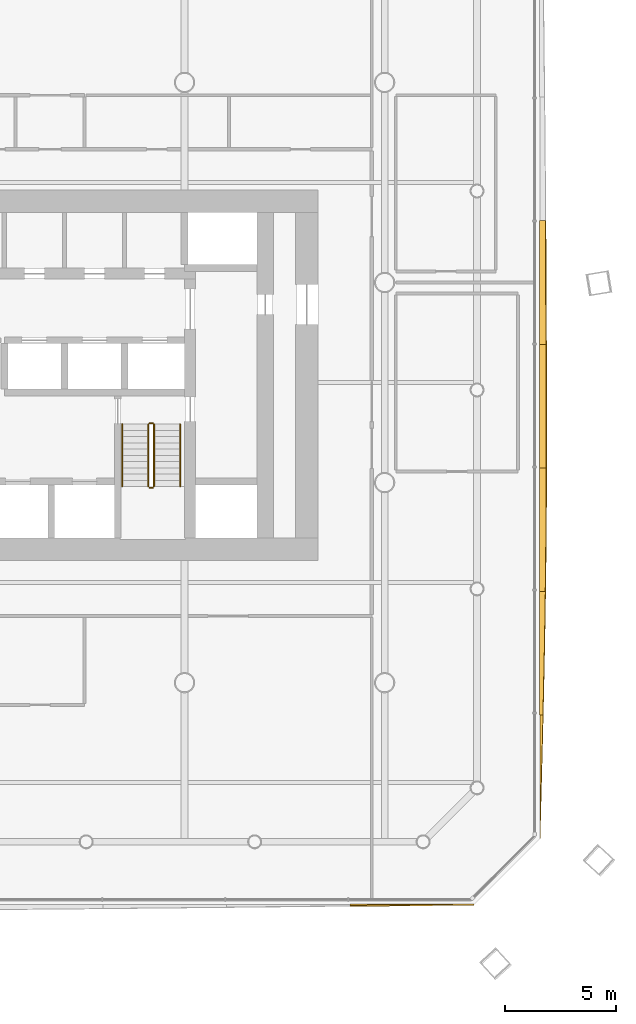
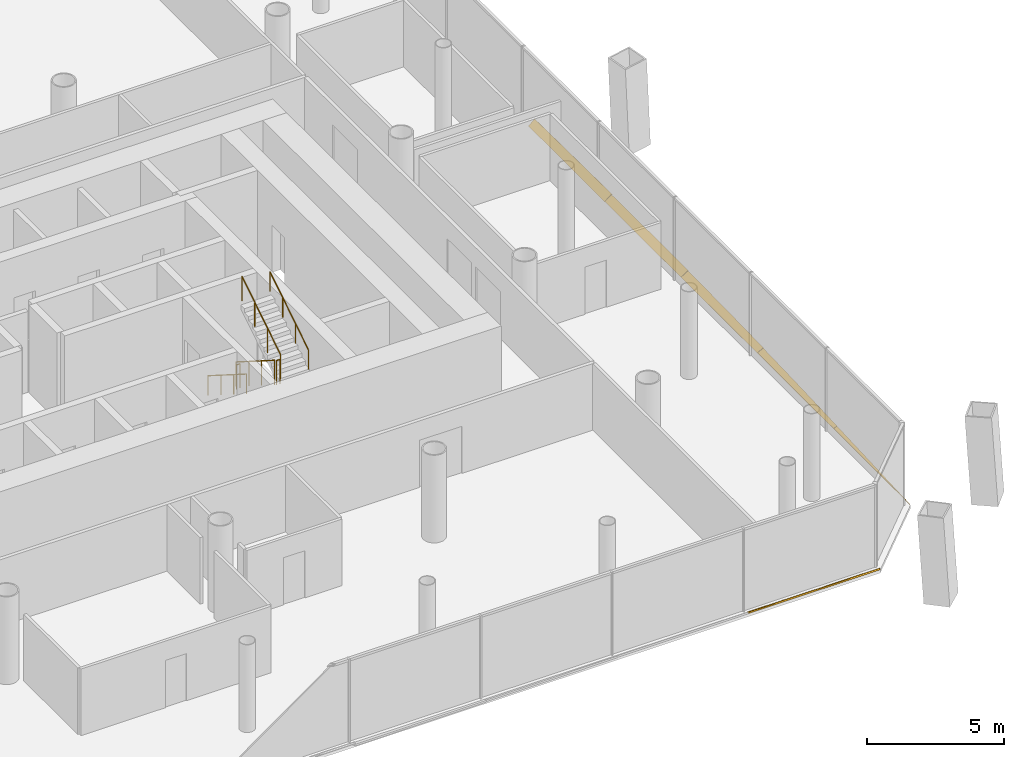
# One storey, part 21 of 23: 6 railings, 6 shading devices.
"""IFC4 building model written with IfcOpenShell, lengths in metres."""

from ifc_helpers import new_model, si_unit, direction, frame, origin, origin_2d, place, context, subcontext, project, spatial, polyline, circle, outline, extrude, material, layer, layer_set, type_object, element, save


model = new_model("IFC4")

# Units and contexts
model_context = context("Model", 3, precision=1e-05, world=origin(), true_north=direction((0.0, 1.0)))
body_context = subcontext(model_context, "Body", "Model", "MODEL_VIEW")
ifc_project = project(units=[si_unit("LENGTHUNIT", "METRE"), si_unit("AREAUNIT", "SQUARE_METRE"), si_unit("VOLUMEUNIT", "CUBIC_METRE"), si_unit("PLANEANGLEUNIT", "RADIAN"), si_unit("MASSUNIT", "GRAM", prefix="KILO")], contexts=[model_context])

# Site, building, storey
site_placement = place(None, origin())
site = spatial("IfcSite", under=ifc_project, at=site_placement, CompositionType="ELEMENT")
building_placement = place(site_placement, origin())
building = spatial("IfcBuilding", under=site, at=building_placement, Name="Tskaro Facet Tower", CompositionType="ELEMENT")
storey_placement = place(building_placement, frame((0.0, 0.0, 14.699951171875)))
storey = spatial("IfcBuildingStorey", under=building, at=storey_placement, Name="L02", CompositionType="ELEMENT", Elevation=14.699951171875)

# Shading devices
ifc_material_1 = material(Name="Bronze anodised aluminium 6063-T6", Category="aluminium")
ifc_layer = layer(ifc_material_1, 0.06005859375, Name="Bronze anodised aluminium 6063-T6")
ifc_layer_set = layer_set([ifc_layer], Name="Bronze anodised aluminium 6063-T6")
shading_device_type = type_object("IfcShadingDeviceType", Name="Bronze sun blade (FN1)", PredefinedType="USERDEFINED", material=ifc_layer_set)
shading_device_1_placement = place(storey_placement, frame((16.4443359375, -27.965576171875, 0.04931640625), z_axis=(2.5118302e-05, 0.571604642828, 0.820529177828), x_axis=(0.999999999685, -1.4357738e-05, -2.06103e-05)))
element("IfcShadingDevice", 1, at=shading_device_1_placement, inside=storey, type_object=shading_device_type, Name="Fin blade south 9", ObjectType="FIN", PredefinedType="USERDEFINED", context=body_context, shape_type="SweptSolid", body=[
    extrude(outline(polyline([(0.0, 0.0), (5.555664060747385, 0.0), (4.861328126915202, -0.010020727256868365), (4.16674804895279, -0.01984113000736796), (3.47241210658349, -0.029801084672664523), (2.7778320321263847, -0.03982181192953289), (2.083496094788895, -0.04964221468003248), (1.3889160117946715, -0.05960216934532905), (0.6945800744571822, -0.06942257209582864), (-3.50523014347157e-09, -0.07924297484632824), (0.0, 0.0)])), origin(), (0.0, 0.0, -1.0), 0.06005859375),
])
shading_device_2_placement = place(storey_placement, frame((24.9794921875, -25.0, 0.056396484375), z_axis=(-0.342654728417, 1.9273538e-05, 0.939461407787), x_axis=(6.604169e-06, 0.999999999814, -1.8106745e-05)))
element("IfcShadingDevice", 2, at=shading_device_2_placement, inside=storey, type_object=shading_device_type, Name="Fin blade east 1", ObjectType="FIN", PredefinedType="USERDEFINED", context=body_context, shape_type="SweptSolid", body=[
    extrude(outline(polyline([(0.0, 0.0), (5.555664061468121, 0.0), (5.555664063520824, -0.15276645990636875), (4.861083984787763, -0.13484917344118544), (4.1667480450673136, -0.11670252628069894), (3.4721679703383996, -0.09792984585046498), (2.7778320285891573, -0.07878209996919522), (2.083251953443798, -0.059237681513481154), (1.3889160145028012, -0.03977691899733765), (0.6943359361327504, -0.01977377915101724), (0.0, 0.0)])), origin(), (0.0, 0.0, -1.0), 0.06005859375),
])
shading_device_3_placement = place(storey_placement, frame((24.974609375, -19.4443359375, 0.054443359375), z_axis=(-0.422604179441, 2.697416e-06, 0.906314353584), x_axis=(1.139939e-06, 0.999999999996, -2.444707e-06)))
element("IfcShadingDevice", 3, at=shading_device_3_placement, inside=storey, type_object=shading_device_type, Name="Fin blade east 2", ObjectType="FIN", PredefinedType="USERDEFINED", context=body_context, shape_type="SweptSolid", body=[
    extrude(outline(polyline([(0.0, 0.0), (5.5554199218547895, -1.176405927415259e-21), (5.555419921980118, -0.2779758357455017), (4.861083984452553, -0.26639780820812653), (4.166503906102166, -0.253507090210102), (3.4721679687355658, -0.23974621805689042), (2.777587890505903, -0.2252183665969886), (2.0832519529817213, -0.20959909282916864), (1.3886718751913292, -0.1931096649061617), (0.6943359374693246, -0.17617770067769237), (1.0610845166486981e-10, -0.15837558229403606), (0.0, 0.0)])), origin(), (0.0, 0.0, -1.0), 0.06005859375),
])
shading_device_4_placement = place(storey_placement, frame((24.969970703125, -13.888916015625, 0.052001953125), z_axis=(-0.499973172296, 8.008232e-06, 0.866040892176), x_axis=(4.003901e-06, 0.999999999968, -6.935457e-06)))
element("IfcShadingDevice", 4, at=shading_device_4_placement, inside=storey, type_object=shading_device_type, Name="Fin blade east 3", ObjectType="FIN", PredefinedType="USERDEFINED", context=body_context, shape_type="SweptSolid", body=[
    extrude(outline(polyline([(0.0, 0.0), (5.555664062321854, 0.0), (5.555664062666398, -0.3453078920345746), (4.8610839835164565, -0.3431281508659041), (4.166748047854355, -0.33961441158735545), (3.4721679690886256, -0.3345879301950753), (2.777832030424282, -0.32847157821845996), (2.083251953020277, -0.32080979236726836), (1.3889160157176583, -0.3120581359317415), (0.6945800778914333, -0.30221660891187935), (-3.676786012494932e-10, -0.2909517117802124), (0.0, 0.0)])), origin(), (0.0, 0.0, -1.0), 0.06005859375),
])
shading_device_5_placement = place(storey_placement, frame((24.965576171875, -8.333251953125, 0.04931640625), z_axis=(-0.573390767077, 7.454726e-06, 0.819282019927), x_axis=(4.274471e-06, 0.999999999972, -6.107523e-06)))
element("IfcShadingDevice", 5, at=shading_device_5_placement, inside=storey, type_object=shading_device_type, Name="Fin blade east 4", ObjectType="FIN", PredefinedType="USERDEFINED", context=body_context, shape_type="SweptSolid", body=[
    extrude(outline(polyline([(0.0, 0.0), (5.555419921720635, 0.0), (5.55541992133919, -0.35673389665611877), (4.861083984304065, -0.3593740047572182), (4.166503906047897, -0.36147408482926685), (3.472167968864244, -0.3632341568966665), (2.7775878904595492, -0.36445420093501535), (2.083251954170941, -0.3655342569931168), (1.3889160147516173, -0.3660142529780133), (0.8332519533106295, -0.366214273002415), (0.6943359376894895, -0.366214273002415), (-9.833166652233712e-10, -0.36513421694431347), (0.0, 0.0)])), origin(), (0.0, 0.0, -1.0), 0.06005859375),
])
shading_device_6_placement = place(storey_placement, frame((24.96142578125, -2.77783203125, 0.0458984375), z_axis=(-0.64297938628, -3.58472e-06, 0.765883482526), x_axis=(-2.304901e-06, 0.999999999994, 2.745478e-06)))
element("IfcShadingDevice", 6, at=shading_device_6_placement, inside=storey, type_object=shading_device_type, Name="Fin blade east 5", ObjectType="FIN", PredefinedType="USERDEFINED", context=body_context, shape_type="SweptSolid", body=[
    extrude(outline(polyline([(0.0, 0.0), (5.555664062464304, -1.1764576262035436e-21), (5.555664062673105, -0.3443204259016345), (4.861083984585411, -0.3503847462992501), (4.166748047015152, -0.35610510603553386), (3.472167968712333, -0.36148150511048593), (2.7778320314896687, -0.3663269602520038), (2.0834960934891598, -0.37067147734296046), (1.388916015426372, -0.3748290111618148), (0.6945800777734573, -0.37829862365800554), (5.826445266564777e-11, -0.38158125288209394), (0.0, 0.0)])), origin(), (0.0, 0.0, -1.0), 0.06005859375),
])

# Railings
ifc_material_2 = material(Name="Stainless steel", Category="steel")
railing_type_1 = type_object("IfcRailingType", Name="RL-GUARD-1100", PredefinedType="GUARDRAIL", material=ifc_material_2)
railing_1_placement = place(storey_placement, frame((7.375, -6.375, 0.17724609375)))
element("IfcRailing", 7, at=railing_1_placement, inside=storey, type_object=railing_type_1, Name="L02 ST-2 stair guard 1", PredefinedType="GUARDRAIL", context=body_context, shape_type="SweptSolid", body=[
    extrude(circle(Radius=0.02392578125, at=origin_2d()), frame((0.0, 0.0, 1.076171875), z_axis=(0.0, -0.844908973607, 0.534910110503), x_axis=(1.0, 0.0, 0.0)), (0.0, 0.0, 1.0), 3.31396484375),
    extrude(circle(Radius=0.02099609375, at=origin_2d()), origin(), (0.0, 0.0, 1.0), 1.052001953125),
    extrude(circle(Radius=0.02099609375, at=origin_2d()), frame((0.0, -0.933349609375, 0.5908203125)), (0.0, 0.0, 1.0), 1.052001953125),
    extrude(circle(Radius=0.02099609375, at=origin_2d()), frame((0.0, -1.86669921875, 1.181884765625)), (0.0, 0.0, 1.0), 1.052001953125),
    extrude(circle(Radius=0.02099609375, at=origin_2d()), frame((0.0, -2.800048828125, 1.772705078125)), (0.0, 0.0, 1.0), 1.052001953125),
])
railing_2_placement = place(storey_placement, frame((7.425048828125, -9.22509765625, 1.949951171875)))
element("IfcRailing", 8, at=railing_2_placement, inside=storey, type_object=railing_type_1, Name="L02 ST-2 stair guard 2", PredefinedType="GUARDRAIL", context=body_context, shape_type="SweptSolid", body=[
    extrude(circle(Radius=0.02392578125, at=origin_2d()), frame((0.0, 0.0, 1.076171875), z_axis=(1.0, 0.0, 0.0), x_axis=(0.0, 1.0, 0.0)), (0.0, 0.0, 1.0), 0.14990234375),
    extrude(circle(Radius=0.02099609375, at=origin_2d()), origin(), (0.0, 0.0, 1.0), 1.052001953125),
    extrude(circle(Radius=0.02099609375, at=origin_2d()), frame((0.14990234375, 0.0, 0.0)), (0.0, 0.0, 1.0), 1.052001953125),
])
railing_3_placement = place(storey_placement, frame((7.625, -9.175048828125, 2.12744140625)))
element("IfcRailing", 9, at=railing_3_placement, inside=storey, type_object=railing_type_1, Name="L02 ST-2 stair guard 3", PredefinedType="GUARDRAIL", context=body_context, shape_type="SweptSolid", body=[
    extrude(circle(Radius=0.02392578125, at=origin_2d()), frame((0.0, 0.0, 1.076171875), z_axis=(0.0, 0.844908973607, 0.534910110503), x_axis=(-1.0, 0.0, 0.0)), (0.0, 0.0, 1.0), 3.31396484375),
    extrude(circle(Radius=0.02099609375, at=origin_2d()), origin(), (0.0, 0.0, 1.0), 1.052001953125),
    extrude(circle(Radius=0.02099609375, at=origin_2d()), frame((0.0, 0.933349609375, 0.5908203125)), (0.0, 0.0, 1.0), 1.052001953125),
    extrude(circle(Radius=0.02099609375, at=origin_2d()), frame((0.0, 1.86669921875, 1.181884765625)), (0.0, 0.0, 1.0), 1.052001953125),
    extrude(circle(Radius=0.02099609375, at=origin_2d()), frame((0.0, 2.800048828125, 1.772705078125)), (0.0, 0.0, 1.0), 1.052001953125),
])
railing_4_placement = place(storey_placement, frame((7.425048828125, -6.324951171875, 0.0)))
element("IfcRailing", 10, at=railing_4_placement, inside=storey, type_object=railing_type_1, Name="L02 ST-2 stair guard 4", PredefinedType="GUARDRAIL", context=body_context, shape_type="SweptSolid", body=[
    extrude(circle(Radius=0.02392578125, at=origin_2d()), frame((0.0, 0.0, 1.076171875), z_axis=(1.0, 0.0, 0.0), x_axis=(0.0, 1.0, 0.0)), (0.0, 0.0, 1.0), 0.14990234375),
    extrude(circle(Radius=0.02099609375, at=origin_2d()), origin(), (0.0, 0.0, 1.0), 1.052001953125),
    extrude(circle(Radius=0.02099609375, at=origin_2d()), frame((0.14990234375, 0.0, 0.0)), (0.0, 0.0, 1.0), 1.052001953125),
])
railing_type_2 = type_object("IfcRailingType", Name="RL-HANDRAIL-900", PredefinedType="HANDRAIL", material=ifc_material_2)
railing_5_placement = place(storey_placement, frame((6.199951171875, -6.375, 0.17724609375)))
element("IfcRailing", 11, at=railing_5_placement, inside=storey, type_object=railing_type_2, Name="L02 ST-2 stair handrail 1", PredefinedType="HANDRAIL", context=body_context, shape_type="SweptSolid", body=[
    extrude(circle(Radius=0.02392578125, at=origin_2d()), frame((0.0, 0.0, 0.8759765625), z_axis=(0.0, -0.844908973607, 0.534910110503), x_axis=(1.0, 0.0, 0.0)), (0.0, 0.0, 1.0), 3.31396484375),
    extrude(circle(Radius=0.02099609375, at=origin_2d()), origin(), (0.0, 0.0, 1.0), 0.851806640625),
    extrude(circle(Radius=0.02099609375, at=origin_2d()), frame((0.0, -0.933349609375, 0.5908203125)), (0.0, 0.0, 1.0), 0.851806640625),
    extrude(circle(Radius=0.02099609375, at=origin_2d()), frame((0.0, -1.86669921875, 1.181884765625)), (0.0, 0.0, 1.0), 0.851806640625),
    extrude(circle(Radius=0.02099609375, at=origin_2d()), frame((0.0, -2.800048828125, 1.772705078125)), (0.0, 0.0, 1.0), 0.851806640625),
])
railing_6_placement = place(storey_placement, frame((8.800048828125, -9.175048828125, 2.12744140625)))
element("IfcRailing", 12, at=railing_6_placement, inside=storey, type_object=railing_type_2, Name="L02 ST-2 stair handrail 2", PredefinedType="HANDRAIL", context=body_context, shape_type="SweptSolid", body=[
    extrude(circle(Radius=0.02392578125, at=origin_2d()), frame((0.0, 0.0, 0.8759765625), z_axis=(0.0, 0.844908973607, 0.534910110503), x_axis=(-1.0, 0.0, 0.0)), (0.0, 0.0, 1.0), 3.31396484375),
    extrude(circle(Radius=0.02099609375, at=origin_2d()), origin(), (0.0, 0.0, 1.0), 0.851806640625),
    extrude(circle(Radius=0.02099609375, at=origin_2d()), frame((0.0, 0.933349609375, 0.5908203125)), (0.0, 0.0, 1.0), 0.851806640625),
    extrude(circle(Radius=0.02099609375, at=origin_2d()), frame((0.0, 1.86669921875, 1.181884765625)), (0.0, 0.0, 1.0), 0.851806640625),
    extrude(circle(Radius=0.02099609375, at=origin_2d()), frame((0.0, 2.800048828125, 1.772705078125)), (0.0, 0.0, 1.0), 0.851806640625),
])

save(model, "model.ifc")
